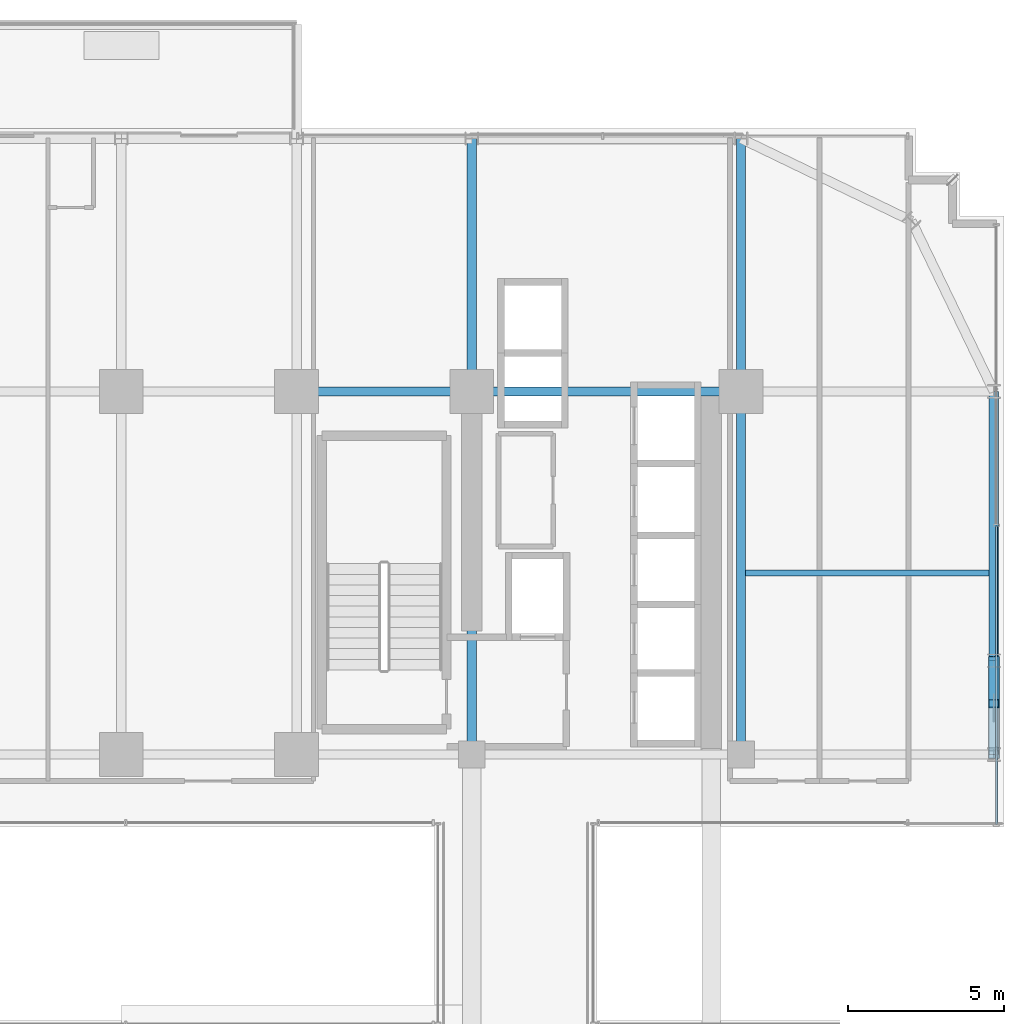
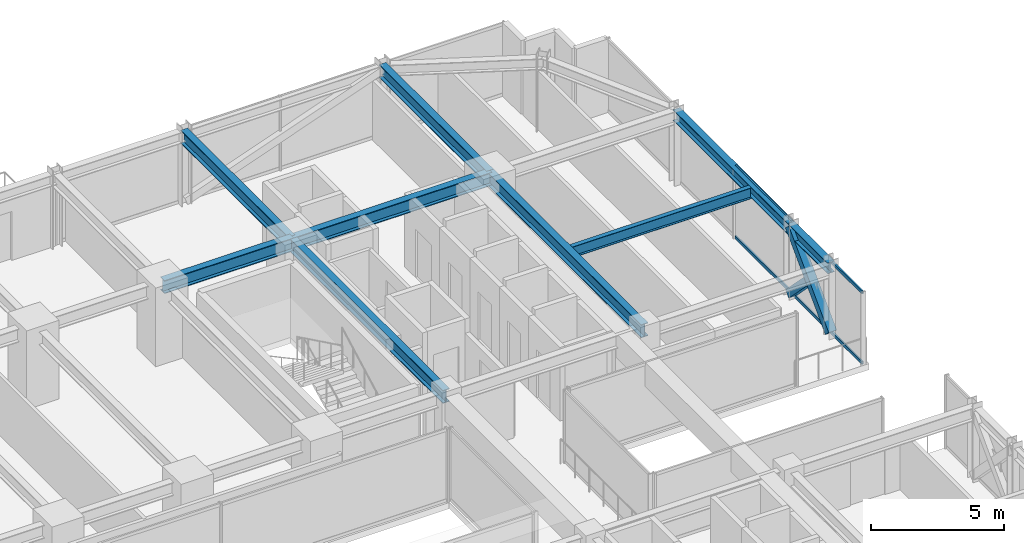
# One storey, part 26 of 43: 9 beams, 4 members, 1 element without a shape of its own.
"""IFC4 building model written with IfcOpenShell, lengths in metres."""

from ifc_helpers import new_model, si_unit, direction, frame, origin, origin_2d, place, context, subcontext, project, spatial, hollow_rectangle, i_section, extrude, source, transform, mapped, material, material_profile, profile_set, type_object, element, aggregate, save


model = new_model("IFC4")

# Units and contexts
model_context = context("Model", 3, precision=1e-05, world=origin(), true_north=direction((0.0, 1.0)))
body_context = subcontext(model_context, "Body", "Model", "MODEL_VIEW")
ifc_project = project(units=[si_unit("LENGTHUNIT", "METRE"), si_unit("AREAUNIT", "SQUARE_METRE"), si_unit("VOLUMEUNIT", "CUBIC_METRE"), si_unit("PLANEANGLEUNIT", "RADIAN"), si_unit("MASSUNIT", "GRAM", prefix="KILO")], contexts=[model_context])

# Site, building, storey
site_placement = place(None, origin())
site = spatial("IfcSite", under=ifc_project, at=site_placement, CompositionType="ELEMENT")
building_placement = place(site_placement, origin())
building = spatial("IfcBuilding", under=site, at=building_placement, Name="Nahalor Promenade Grand Hotel", CompositionType="ELEMENT")
storey_placement = place(building_placement, frame((0.0, 0.0, 47.0)))
storey = spatial("IfcBuildingStorey", under=building, at=storey_placement, Name="L10", CompositionType="ELEMENT", Elevation=47.0)

# Beams
ifc_material_1 = material(Name="Steel S355JR", Category="steel")
ifc_material_profile_1 = material_profile(ifc_material_1, i_section(OverallWidth=0.3, OverallDepth=0.6, WebThickness=0.0155, FlangeThickness=0.03, at=origin_2d()), Name="HEB 600")
ifc_profile_set_1 = profile_set([ifc_material_profile_1], Name="Steel S355JR")
beam_type_1 = type_object("IfcBeamType", Name="Beam-Girder-HEB600", PredefinedType="BEAM", material=ifc_profile_set_1)
shared_shape_1 = source(origin(), body_context, "Body", "SweptSolid", [
    extrude(i_section(OverallWidth=0.3, OverallDepth=0.6, WebThickness=0.0155, FlangeThickness=0.03, at=origin_2d()), origin(), (0.0, 0.0, 1.0), 8.60009765625),
])
beam_1_placement = place(storey_placement, frame((8.39990234375, 17.0, 3.070068359375), z_axis=(1.0, 0.0, 0.0), x_axis=(0.0, 1.0, 0.0)))
element("IfcBeam", 1, at=beam_1_placement, inside=storey, type_object=beam_type_1, Name="BM-L10-GX-3-5", PredefinedType="BEAM", context=body_context, shape_type="MappedRepresentation", body=[
    mapped(shared_shape_1, transform((0.0, 0.0, 0.0), scale=1.0)),
])
shared_shape_2 = source(origin(), body_context, "Body", "SweptSolid", [
    extrude(i_section(OverallWidth=0.3, OverallDepth=0.6, WebThickness=0.0155, FlangeThickness=0.03, at=origin_2d()), origin(), (0.0, 0.0, 1.0), 5.599853515625),
])
beam_2_placement = place(storey_placement, frame((2.800048828125, 17.0, 3.070068359375), z_axis=(1.0, 0.0, 0.0), x_axis=(0.0, 1.0, 0.0)))
element("IfcBeam", 2, at=beam_2_placement, inside=storey, type_object=beam_type_1, Name="BM-L10-GX-3-4", PredefinedType="BEAM", context=body_context, shape_type="MappedRepresentation", body=[
    mapped(shared_shape_2, transform((0.0, 0.0, 0.0), scale=1.0)),
])
shared_shape_3 = source(origin(), body_context, "Body", "SweptSolid", [
    extrude(i_section(OverallWidth=0.3, OverallDepth=0.6, WebThickness=0.0155, FlangeThickness=0.03, at=origin_2d()), origin(), (0.0, 0.0, 1.0), 11.60009765625),
])
for number, where, z_axis, x_axis, name in (
    (3, (8.39990234375, 5.39990234375, 3.070068359375), (0.0, 1.0, 0.0), (-1.0, 0.0, 0.0), "BM-L10-GY-4-3"),
    (4, (17.0, 5.39990234375, 3.070068359375), (0.0, 1.0, 0.0), (-1.0, 0.0, 0.0), "BM-L10-GY-5-3"),
):
    element("IfcBeam", number, at=place(storey_placement, frame(where, z_axis=z_axis, x_axis=x_axis)), inside=storey, type_object=beam_type_1, Name=name, PredefinedType="BEAM", context=body_context, shape_type="MappedRepresentation", body=[
        mapped(shared_shape_3, transform((0.0, 0.0, 0.0), scale=1.0)),
    ])
ifc_material_profile_2 = material_profile(ifc_material_1, i_section(OverallWidth=0.3, OverallDepth=0.5, WebThickness=0.0145, FlangeThickness=0.028, at=origin_2d()), Name="HEB 500")
ifc_profile_set_2 = profile_set([ifc_material_profile_2], Name="Steel S355JR")
beam_type_2 = type_object("IfcBeamType", Name="Beam-Spandrel-HEB500", PredefinedType="SPANDREL", material=ifc_profile_set_2)
shared_shape_4 = source(origin(), body_context, "Body", "SweptSolid", [
    extrude(i_section(OverallWidth=0.3, OverallDepth=0.5, WebThickness=0.0145, FlangeThickness=0.028, at=origin_2d()), origin(), (0.0, 0.0, 1.0), 8.60009765625),
])
beam_3_placement = place(storey_placement, frame((25.080078125, 8.39990234375, 3.1201171875), z_axis=(0.0, 1.0, 0.0), x_axis=(-1.0, 0.0, 0.0)))
element("IfcBeam", 5, at=beam_3_placement, inside=storey, type_object=beam_type_2, Name="BM-L10-SP-E-4", PredefinedType="SPANDREL", context=body_context, shape_type="MappedRepresentation", body=[
    mapped(shared_shape_4, transform((0.0, 0.0, 0.0), scale=1.0)),
])
shared_shape_5 = source(origin(), body_context, "Body", "SweptSolid", [
    extrude(i_section(OverallWidth=0.3, OverallDepth=0.5, WebThickness=0.0145, FlangeThickness=0.028, at=origin_2d()), origin(), (0.0, 0.0, 1.0), 3.0),
])
beam_4_placement = place(storey_placement, frame((25.080078125, 5.39990234375, 3.1201171875), z_axis=(0.0, 1.0, 0.0), x_axis=(-1.0, 0.0, 0.0)))
element("IfcBeam", 6, at=beam_4_placement, inside=storey, type_object=beam_type_2, Name="BM-L10-SP-E-3", PredefinedType="SPANDREL", context=body_context, shape_type="MappedRepresentation", body=[
    mapped(shared_shape_5, transform((0.0, 0.0, 0.0), scale=1.0)),
])
shared_shape_6 = source(origin(), body_context, "Body", "SweptSolid", [
    extrude(i_section(OverallWidth=0.3, OverallDepth=0.6, WebThickness=0.0155, FlangeThickness=0.03, at=origin_2d()), origin(), (0.0, 0.0, 1.0), 8.080078125),
])
for number, where, z_axis, x_axis, name in (
    (7, (8.39990234375, 17.0, 3.070068359375), (0.0, 1.0, 0.0), (-1.0, 0.0, 0.0), "BM-L10-GY-4-4"),
    (8, (17.0, 17.0, 3.070068359375), (0.0, 1.0, 0.0), (-1.0, 0.0, 0.0), "BM-L10-GY-5-4"),
):
    element("IfcBeam", number, at=place(storey_placement, frame(where, z_axis=z_axis, x_axis=x_axis)), inside=storey, type_object=beam_type_1, Name=name, PredefinedType="BEAM", context=body_context, shape_type="MappedRepresentation", body=[
        mapped(shared_shape_6, transform((0.0, 0.0, 0.0), scale=1.0)),
    ])
ifc_material_profile_3 = material_profile(ifc_material_1, i_section(OverallWidth=0.2, OverallDepth=0.5, WebThickness=0.0102, FlangeThickness=0.016, at=origin_2d()), Name="IPE 500")
ifc_profile_set_3 = profile_set([ifc_material_profile_3], Name="Steel S355JR")
beam_type_3 = type_object("IfcBeamType", Name="Beam-Joist-IPE500", PredefinedType="JOIST", material=ifc_profile_set_3)
shared_shape_7 = source(origin(), body_context, "Body", "SweptSolid", [
    extrude(i_section(OverallWidth=0.2, OverallDepth=0.5, WebThickness=0.0102, FlangeThickness=0.016, at=origin_2d()), origin(), (0.0, 0.0, 1.0), 7.780029296875),
])
beam_5_placement = place(storey_placement, frame((17.14990234375, 11.199951171875, 3.1201171875), z_axis=(1.0, 0.0, 0.0), x_axis=(0.0, 1.0, 0.0)))
element("IfcBeam", 9, at=beam_5_placement, inside=storey, type_object=beam_type_3, Name="BM-L10-JSE-1-2", PredefinedType="JOIST", context=body_context, shape_type="MappedRepresentation", body=[
    mapped(shared_shape_7, transform((0.0, 0.0, 0.0), scale=1.0)),
])

# Members
ifc_material_profile_4 = material_profile(ifc_material_1, hollow_rectangle(XDim=0.35, YDim=0.35, WallThickness=0.02, at=origin_2d()), Name="SHS 350x350x20")
ifc_profile_set_4 = profile_set([ifc_material_profile_4], Name="Steel S355JR")
member_type_1 = type_object("IfcMemberType", Name="Mem-VoidBrace-SHS350", PredefinedType="BRACE", material=ifc_profile_set_4)
shared_shape_8 = source(origin(), body_context, "Body", "SweptSolid", [
    extrude(hollow_rectangle(XDim=0.35, YDim=0.35, WallThickness=0.02, at=origin_2d()), origin(), (0.0, 0.0, 1.0), 4.29248046875),
])
member_1_placement = place(storey_placement, frame((25.080078125, 5.39990234375, 0.14990234375), z_axis=(0.0, 0.698897904453, 0.715221447631), x_axis=(-1.0, 0.0, 0.0)))
element("IfcMember", 10, at=member_1_placement, inside=storey, type_object=member_type_1, Name="EXO-L10-VX1-E1", PredefinedType="BRACE", context=body_context, shape_type="MappedRepresentation", body=[
    mapped(shared_shape_8, transform((0.0, 0.0, 0.0), scale=1.0)),
])
shared_shape_9 = source(origin(), body_context, "Body", "SweptSolid", [
    extrude(hollow_rectangle(XDim=0.35, YDim=0.35, WallThickness=0.02, at=origin_2d()), origin(), (0.0, 0.0, 1.0), 1.959228515625),
])
member_2_placement = place(storey_placement, frame((25.080078125, 8.39990234375, 0.14990234375), z_axis=(0.0, -0.698834435327, 0.715283462692), x_axis=(1.0, 0.0, 0.0)))
element("IfcMember", 11, at=member_2_placement, inside=storey, type_object=member_type_1, Name="EXO-L10-VX2-E1A", PredefinedType="BRACE", context=body_context, shape_type="MappedRepresentation", body=[
    mapped(shared_shape_9, transform((0.0, 0.0, 0.0), scale=1.0)),
])

# Curtain wall, members
ifc_material_2 = material(Name="Anodised Bronze Aluminium EN AW-6063 T6", Category="aluminium")
curtain_wall_type = type_object("IfcCurtainWallType", Name="CW3 Elliptical-Void Collar Unitised Curtain Wall", PredefinedType="USERDEFINED", material=ifc_material_2)
curtain_wall_placement = place(storey_placement, origin())
curtain_wall = element("IfcCurtainWall", 12, at=curtain_wall_placement, inside=storey, type_object=curtain_wall_type, Name="L10 Curtain Wall CW-L10-E-2", ObjectType="UNITISED_CURTAIN_WALL", PredefinedType="USERDEFINED")
ifc_material_profile_5 = material_profile(ifc_material_2, hollow_rectangle(XDim=0.07, YDim=0.14, WallThickness=0.004, at=origin_2d()), Name="CWT 70x140x4")
ifc_profile_set_5 = profile_set([ifc_material_profile_5], Name="Anodised Bronze Aluminium EN AW-6063 T6")
member_type_2 = type_object("IfcMemberType", Name="CWT3 Void Collar Transom 70x140", PredefinedType="USERDEFINED", material=ifc_profile_set_5)
shared_shape_10 = source(origin(), body_context, "Body", "SweptSolid", [
    extrude(hollow_rectangle(XDim=0.07, YDim=0.14, WallThickness=0.004, at=origin_2d()), origin(), (0.0, 0.0, 1.0), 9.525146484375),
])
member_3_placement = place(storey_placement, frame((25.159912109375, 3.169921875, 0.070068359375), z_axis=(0.0, 1.0, 0.0), x_axis=(-1.0, 0.0, 0.0)))
member_3 = element("IfcMember", 13, at=member_3_placement, type_object=member_type_2, Name="CW-L10-E-2 Transom 0-0", ObjectType="TRANSOM", PredefinedType="USERDEFINED", context=body_context, shape_type="MappedRepresentation", body=[
    mapped(shared_shape_10, transform((0.0, 0.0, 0.0), scale=1.0)),
])
member_4_placement = place(storey_placement, frame((25.159912109375, 3.169921875, 3.300048828125), z_axis=(0.0, 1.0, 0.0), x_axis=(-1.0, 0.0, 0.0)))
member_4 = element("IfcMember", 14, at=member_4_placement, type_object=member_type_2, Name="CW-L10-E-2 Transom 0-1", ObjectType="TRANSOM", PredefinedType="USERDEFINED", context=body_context, shape_type="MappedRepresentation", body=[
    mapped(shared_shape_10, transform((0.0, 0.0, 0.0), scale=1.0)),
])
aggregate(curtain_wall, [member_3, member_4])

save(model, "model.ifc")
